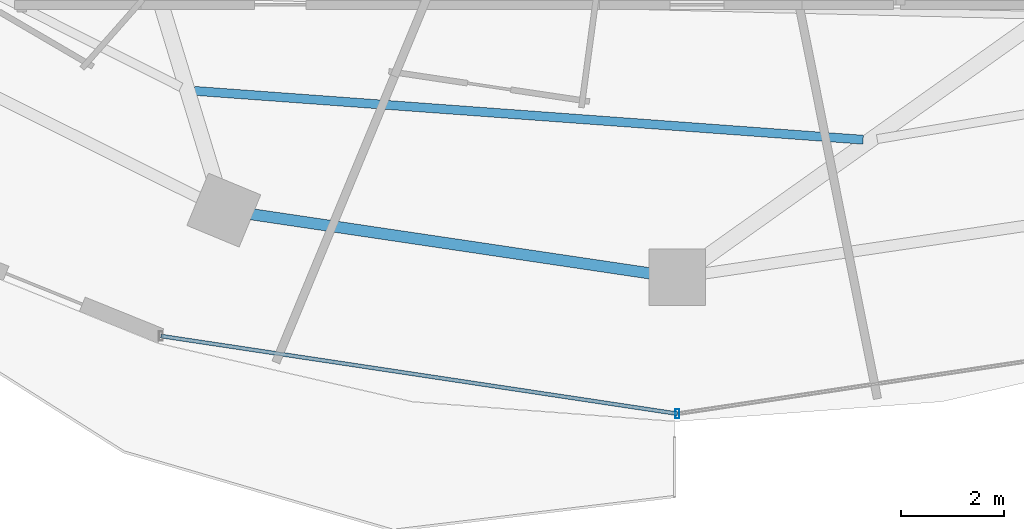
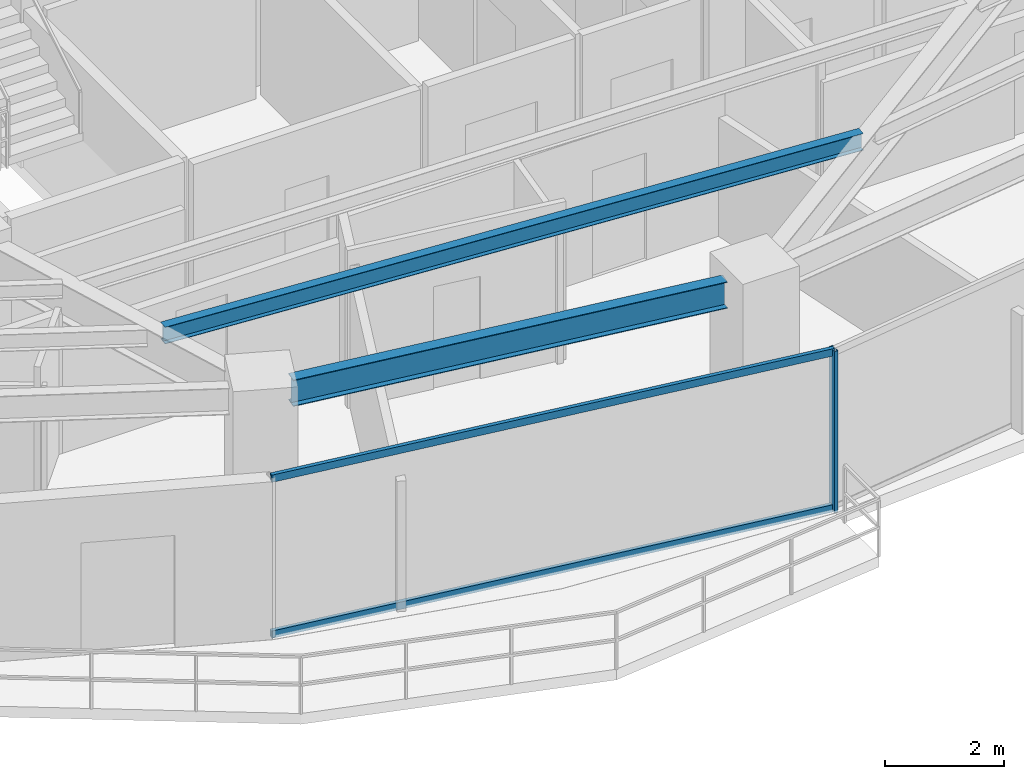
# One storey, part 5 of 29: 3 members, 2 beams, 1 element without a shape of its own.
"""IFC4 building model written with IfcOpenShell, lengths in metres."""

import ifcopenshell
import ifcopenshell.guid

model = None  # the IFC model being written
_history = None  # IfcOwnerHistory: only IFC2X3 demands one
_inside = {}  # id of a spatial element -> (the spatial element, [elements in it])
_under = {}  # id of a project, library or spatial element -> (it, [spatial elements below it])
_declared = {}  # id of a project -> (the project, [libraries it declares])
_typed = {}  # id of a type object -> (the type object, [elements of that type])
_made_of = {}  # id of a material, layer set ... -> (it, [elements and type objects made of it])


def new_model(schema):
    """Start an empty IFC model of exactly this schema.

    Asked for "IFC4X3", IfcOpenShell would pick the latest addendum, in which some entities
    have other attributes; the version numbers below select the first issue.
    IFC2X3 requires an IfcOwnerHistory on every rooted entity: one is made here for all.
    """
    global model, _history
    if schema == "IFC4X3":
        model = ifcopenshell.file(schema_version=(4, 3, 0, 0))
    else:
        model = ifcopenshell.file(schema=schema)
    _inside.clear()
    _under.clear()
    _declared.clear()
    _typed.clear()
    _made_of.clear()
    _history = None
    if model.schema == "IFC2X3":
        org = make("IfcOrganization", Name="unknown")
        user = make(
            "IfcPersonAndOrganization",
            ThePerson=make("IfcPerson", FamilyName="unknown"),
            TheOrganization=org,
        )
        app = make(
            "IfcApplication",
            ApplicationDeveloper=org,
            Version="unknown",
            ApplicationFullName="unknown",
            ApplicationIdentifier="unknown",
        )
        _history = make(
            "IfcOwnerHistory",
            OwningUser=user,
            OwningApplication=app,
            ChangeAction="ADDED",
            CreationDate=0,
        )
    return model


def make(cls, **values):
    """One entity of the class cls with the attributes given. An attribute that is None is left unset."""
    return model.create_entity(
        cls, **{name: value for name, value in values.items() if value is not None}
    )


def rooted(cls, **values):
    """An entity with a GlobalId (a new one), such as an element, a storey or a relation."""
    return make(cls, GlobalId=ifcopenshell.guid.new(), OwnerHistory=_history, **values)


def si_unit(unit_type, name, prefix=None):
    """IfcSIUnit, for example si_unit("LENGTHUNIT", "METRE", prefix="MILLI")."""
    return make("IfcSIUnit", UnitType=unit_type, Prefix=prefix, Name=name)


def assignment(units):
    """IfcUnitAssignment: the units of a project."""
    return None if units is None else make("IfcUnitAssignment", Units=units)


def point(xyz):
    """IfcCartesianPoint."""
    return None if xyz is None else make("IfcCartesianPoint", Coordinates=xyz)


def direction(xyz):
    """IfcDirection."""
    return None if xyz is None else make("IfcDirection", DirectionRatios=xyz)


def frame(location, z_axis=None, x_axis=None):
    """IfcAxis2Placement3D, a coordinate frame: its origin and axes. An axis left out is left unset."""
    return make(
        "IfcAxis2Placement3D",
        Location=point(location),
        Axis=direction(z_axis),
        RefDirection=direction(x_axis),
    )


def frame_2d(location, x_axis=None):
    """IfcAxis2Placement2D, a coordinate frame in the plane: its origin and x axis."""
    return make(
        "IfcAxis2Placement2D", Location=point(location), RefDirection=direction(x_axis)
    )


def origin():
    """The frame at (0, 0, 0) with its axes left unset."""
    return frame((0.0, 0.0, 0.0))


def origin_2d():
    """The frame at (0, 0) in the plane with its x axis left unset."""
    return frame_2d((0.0, 0.0))


def place(relative_to, where):
    """IfcLocalPlacement: puts the frame where relative to a parent placement (None: the world)."""
    return make(
        "IfcLocalPlacement", PlacementRelTo=relative_to, RelativePlacement=where
    )


def context(
    kind, dimensions, precision=None, world=None, true_north=None, identifier=None
):
    """IfcGeometricRepresentationContext, for example the 3D "Model" context."""
    return make(
        "IfcGeometricRepresentationContext",
        ContextIdentifier=identifier,
        ContextType=kind,
        CoordinateSpaceDimension=dimensions,
        Precision=precision,
        WorldCoordinateSystem=world,
        TrueNorth=true_north,
    )


def subcontext(parent, identifier, kind, view, scale=None):
    """IfcGeometricRepresentationSubContext, for example "Body" below "Model"."""
    return make(
        "IfcGeometricRepresentationSubContext",
        ContextIdentifier=identifier,
        ContextType=kind,
        ParentContext=parent,
        TargetScale=scale,
        TargetView=view,
    )


def project(units=None, contexts=None):
    """IfcProject with its units and contexts."""
    return rooted(
        "IfcProject",
        Name="project",
        RepresentationContexts=contexts,
        UnitsInContext=assignment(units),
    )


def spatial(cls, under=None, at=None, **own):
    """A site, building, storey or space (cls), placed at a placement, below another one or the project."""
    s = rooted(cls, ObjectPlacement=at, **own)
    if under is not None:
        _under.setdefault(under.id(), (under, []))[1].append(s)
    return s


def profile(cls, at=None, kind="AREA", **sizes):
    """A parametric profile (cls). Its sizes go by their IFC names, for example OverallWidth=200.0."""
    return make(cls, ProfileType=kind, Position=at, **sizes)


def hollow_rectangle(**sizes):
    """IfcRectangleHollowProfileDef."""
    return profile("IfcRectangleHollowProfileDef", **sizes)


def i_section(**sizes):
    """IfcIShapeProfileDef."""
    return profile("IfcIShapeProfileDef", **sizes)


def extrude(swept, where, along, depth):
    """IfcExtrudedAreaSolid: the profile swept, set in the frame where, extruded along a direction by depth."""
    return make(
        "IfcExtrudedAreaSolid",
        SweptArea=swept,
        Position=where,
        ExtrudedDirection=direction(along),
        Depth=depth,
    )


def shape(context_of_items, identifier, shape_type, items):
    """IfcShapeRepresentation: the items that make up one representation, for example the "Body"."""
    return make(
        "IfcShapeRepresentation",
        ContextOfItems=context_of_items,
        RepresentationIdentifier=identifier,
        RepresentationType=shape_type,
        Items=items,
    )


def material(Name=None, Category=None):
    """IfcMaterial."""
    return make("IfcMaterial", Name=Name, Category=Category)


def material_profile(
    of_material, cross_section, Name=None, Category=None, Priority=None
):
    """IfcMaterialProfile: a cross section and its material."""
    return make(
        "IfcMaterialProfile",
        Name=Name,
        Material=of_material,
        Profile=cross_section,
        Priority=Priority,
        Category=Category,
    )


def profile_set(profiles, Name=None, composite=None):
    """IfcMaterialProfileSet."""
    return make(
        "IfcMaterialProfileSet",
        Name=Name,
        MaterialProfiles=profiles,
        CompositeProfile=composite,
    )


def made_of(thing, what):
    """Note that an element or type object is made of a material, layer set ...; save() writes the relation."""
    if what is not None:
        _made_of.setdefault(what.id(), (what, []))[1].append(thing)
    return thing


def type_object(cls, material=None, **own):
    """A type object (cls), such as IfcWallType, which elements share."""
    return made_of(rooted(cls, **own), material)


def element(
    cls,
    number,
    at=None,
    inside=None,
    cuts=None,
    type_object=None,
    material=None,
    context=None,
    identifier="Body",
    shape_type=None,
    held_by="IfcProductDefinitionShape",
    body=None,
    shapes=None,
    **own,
):
    """One element of the class cls, such as IfcWall. Its Tag is "e" and its number.

    at: its placement. inside: the storey or other place that contains it. cuts: it is an
    opening in that element (IfcRelVoidsElement). A single representation is given by context,
    identifier, shape_type and body (its items); several are given by shapes. held_by: the class
    of the entity that holds the representations. save() writes the other relations.
    """
    e = rooted(cls, Tag="e%d" % number, ObjectPlacement=at, **own)
    if body is not None:
        shapes = [shape(context, identifier, shape_type, body)]
    if shapes is not None:
        e.Representation = make(held_by, Representations=shapes)
    if inside is not None:
        _inside.setdefault(inside.id(), (inside, []))[1].append(e)
    if cuts is not None:
        rooted(
            "IfcRelVoidsElement", RelatingBuildingElement=cuts, RelatedOpeningElement=e
        )
    if type_object is not None:
        _typed.setdefault(type_object.id(), (type_object, []))[1].append(e)
    return made_of(e, material)


def aggregate(whole, parts):
    """IfcRelAggregates: a whole, such as a stair, and the parts it consists of."""
    return rooted("IfcRelAggregates", RelatingObject=whole, RelatedObjects=parts)


def save(model, path):
    """Write the relations noted so far, then the file.

    IfcRelAggregates (storeys below a building ...), IfcRelContainedInSpatialStructure (elements
    in a storey), IfcRelDefinesByType, IfcRelAssociatesMaterial and IfcRelDeclares: one each for
    every whole, place, type object, material and project.
    """
    for whole, parts in _under.values():
        aggregate(whole, parts)
    for where, things in _inside.values():
        rooted(
            "IfcRelContainedInSpatialStructure",
            RelatedElements=things,
            RelatingStructure=where,
        )
    for kind, things in _typed.values():
        rooted("IfcRelDefinesByType", RelatedObjects=things, RelatingType=kind)
    for what, things in _made_of.values():
        rooted("IfcRelAssociatesMaterial", RelatedObjects=things, RelatingMaterial=what)
    for by, libraries in _declared.values():
        rooted("IfcRelDeclares", RelatingContext=by, RelatedDefinitions=libraries)
    model.write(path)


model = new_model("IFC4")

# Units and contexts
model_context = context("Model", 3, precision=1e-05, world=origin(), true_north=direction((0.0, 1.0)))
body_context = subcontext(model_context, "Body", "Model", "MODEL_VIEW")
ifc_project = project(units=[si_unit("LENGTHUNIT", "METRE"), si_unit("AREAUNIT", "SQUARE_METRE"), si_unit("VOLUMEUNIT", "CUBIC_METRE"), si_unit("PLANEANGLEUNIT", "RADIAN"), si_unit("MASSUNIT", "GRAM", prefix="KILO")], contexts=[model_context])

# Site, building, storey
site_placement = place(None, origin())
site = spatial("IfcSite", under=ifc_project, at=site_placement, CompositionType="ELEMENT")
building_placement = place(site_placement, origin())
building = spatial("IfcBuilding", under=site, at=building_placement, Name="Vorneva Point Tower", CompositionType="ELEMENT")
storey_placement = place(building_placement, frame((0.0, 0.0, 82.300048828125)))
storey = spatial("IfcBuildingStorey", under=building, at=storey_placement, Name="L21", CompositionType="ELEMENT", Elevation=82.300048828125)

# Beams
ifc_material_1 = material(Name="Steel S355", Category="steel")
ifc_material_profile_1 = material_profile(ifc_material_1, i_section(OverallWidth=0.174072265625, OverallDepth=0.345947265625, WebThickness=0.006103515625, FlangeThickness=0.009033203125, at=origin_2d()), Name="35B1")
ifc_profile_set_1 = profile_set([ifc_material_profile_1], Name="Steel S355")
beam_type_1 = type_object("IfcBeamType", Name="BM-SEC-35B1", PredefinedType="BEAM", material=ifc_profile_set_1)
beam_1_placement = place(storey_placement, frame((28.60791015625, 12.42919921875, 3.06689453125), z_axis=(0.997338408096, -0.072911588494, 0.0), x_axis=(0.072911588494, 0.997338408096, 0.0)))
element("IfcBeam", 1, at=beam_1_placement, inside=storey, type_object=beam_type_1, Name="L21 Secondary Floor Beam 1.12", PredefinedType="BEAM", context=body_context, shape_type="SweptSolid", body=[
    extrude(i_section(OverallWidth=0.174072265625, OverallDepth=0.345947265625, WebThickness=0.006103515625, FlangeThickness=0.009033203125, at=origin_2d()), origin(), (0.0, 0.0, 1.0), 13.038818359375),
])
ifc_material_profile_2 = material_profile(ifc_material_1, i_section(OverallWidth=0.219970703125, OverallDepth=0.54296875, WebThickness=0.009521484375, FlangeThickness=0.013427734375, at=origin_2d()), Name="55B1")
ifc_profile_set_2 = profile_set([ifc_material_profile_2], Name="Steel S355")
beam_type_2 = type_object("IfcBeamType", Name="BM-SPN-55B1", PredefinedType="SPANDREL", material=ifc_profile_set_2)
beam_2_placement = place(storey_placement, frame((29.708251953125, 10.03076171875, 2.968505859375), z_axis=(0.989164507783, -0.146811363806, 0.0), x_axis=(0.146811363806, 0.989164507783, 0.0)))
element("IfcBeam", 2, at=beam_2_placement, inside=storey, type_object=beam_type_2, Name="L21 Perimeter Spandrel Ring Beam 12", PredefinedType="SPANDREL", context=body_context, shape_type="SweptSolid", body=[
    extrude(i_section(OverallWidth=0.219970703125, OverallDepth=0.54296875, WebThickness=0.009521484375, FlangeThickness=0.013427734375, at=origin_2d()), origin(), (0.0, 0.0, 1.0), 7.847412109375),
])

# Curtain wall, members
ifc_material_2 = material(Name="Pale anodised aluminium", Category="aluminium")
curtain_wall_type = type_object("IfcCurtainWallType", Name="CW-HTL-SYS", PredefinedType="NOTDEFINED", material=ifc_material_2)
curtain_wall_placement = place(storey_placement, origin())
curtain_wall = element("IfcCurtainWall", 3, at=curtain_wall_placement, inside=storey, type_object=curtain_wall_type, Name="L21 Unitised Curtain Wall CW-L21-R03", PredefinedType="NOTDEFINED")
ifc_material_profile_3 = material_profile(ifc_material_2, hollow_rectangle(XDim=0.074951171875, YDim=0.179931640625, WallThickness=0.00390625, at=origin_2d()), Name="AL-MUL 180x75x4")
ifc_profile_set_3 = profile_set([ifc_material_profile_3], Name="Pale anodised aluminium")
member_type_1 = type_object("IfcMemberType", Name="CW-MUL-180", PredefinedType="MULLION", material=ifc_profile_set_3)
member_1_placement = place(storey_placement, frame((38.0, 6.14990234375, -0.0400390625), z_axis=(0.0, 0.0, 1.0), x_axis=(1.0, 0.0, 0.0)))
member_1 = element("IfcMember", 4, at=member_1_placement, type_object=member_type_1, Name="CW-L21-R03 Mullion 02", PredefinedType="MULLION", context=body_context, shape_type="SweptSolid", body=[
    extrude(hollow_rectangle(XDim=0.074951171875, YDim=0.179931640625, WallThickness=0.00390625, at=origin_2d()), origin(), (0.0, 0.0, 1.0), 3.31005859375),
])
ifc_material_profile_4 = material_profile(ifc_material_2, hollow_rectangle(XDim=0.074951171875, YDim=0.14990234375, WallThickness=0.00390625, at=origin_2d()), Name="AL-TRN 150x75x4")
ifc_profile_set_4 = profile_set([ifc_material_profile_4], Name="Pale anodised aluminium")
member_type_2 = type_object("IfcMemberType", Name="CW-TRN-150", PredefinedType="USERDEFINED", material=ifc_profile_set_4)
member_2_placement = place(storey_placement, frame((27.95458984375, 7.660888671875, 0.02001953125), z_axis=(0.988875982167, -0.148742367512, 0.0), x_axis=(0.148742367512, 0.988875982167, 0.0)))
member_2 = element("IfcMember", 5, at=member_2_placement, type_object=member_type_2, Name="CW-L21-R03 Transom 01.1", ObjectType="TRANSOM", PredefinedType="USERDEFINED", context=body_context, shape_type="SweptSolid", body=[
    extrude(hollow_rectangle(XDim=0.074951171875, YDim=0.14990234375, WallThickness=0.00390625, at=origin_2d()), origin(), (0.0, 0.0, 1.0), 10.158447265625),
])
member_3_placement = place(storey_placement, frame((27.95458984375, 7.660888671875, 3.219970703125), z_axis=(0.988875982167, -0.148742367512, 0.0), x_axis=(0.148742367512, 0.988875982167, 0.0)))
member_3 = element("IfcMember", 6, at=member_3_placement, type_object=member_type_2, Name="CW-L21-R03 Transom 01.2", ObjectType="TRANSOM", PredefinedType="USERDEFINED", context=body_context, shape_type="SweptSolid", body=[
    extrude(hollow_rectangle(XDim=0.074951171875, YDim=0.14990234375, WallThickness=0.00390625, at=origin_2d()), origin(), (0.0, 0.0, 1.0), 10.158447265625),
])
aggregate(curtain_wall, [member_1, member_2, member_3])

save(model, "model.ifc")
